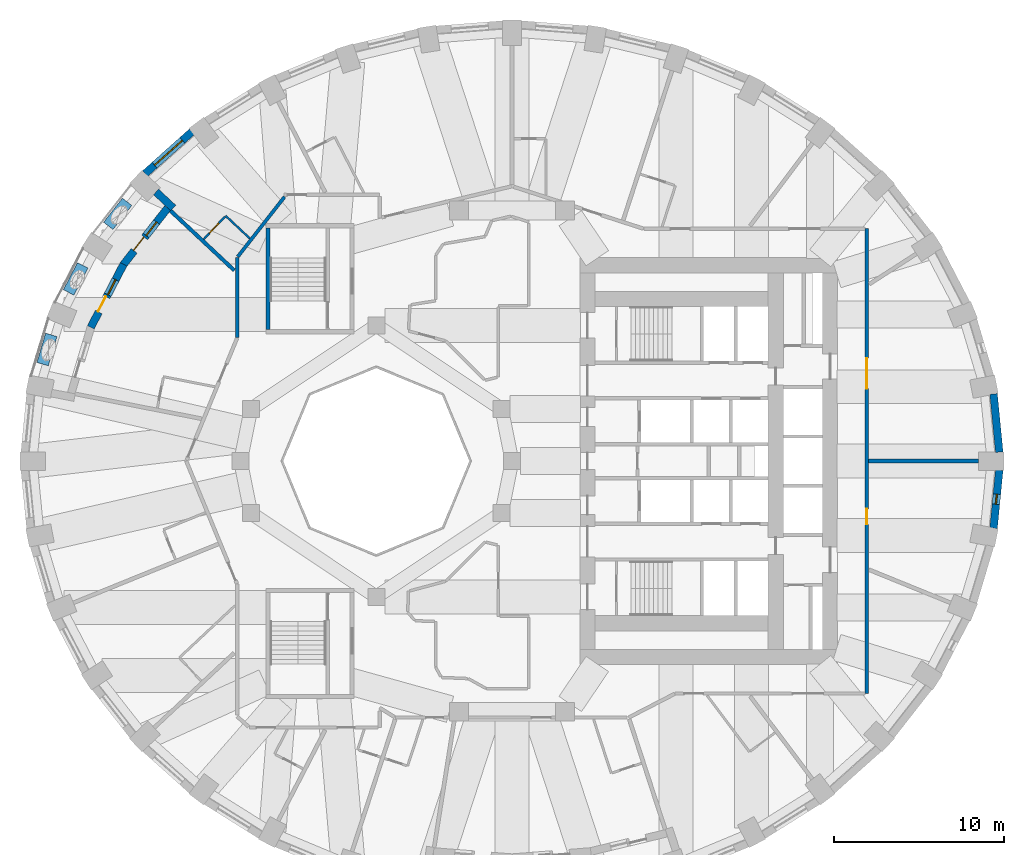
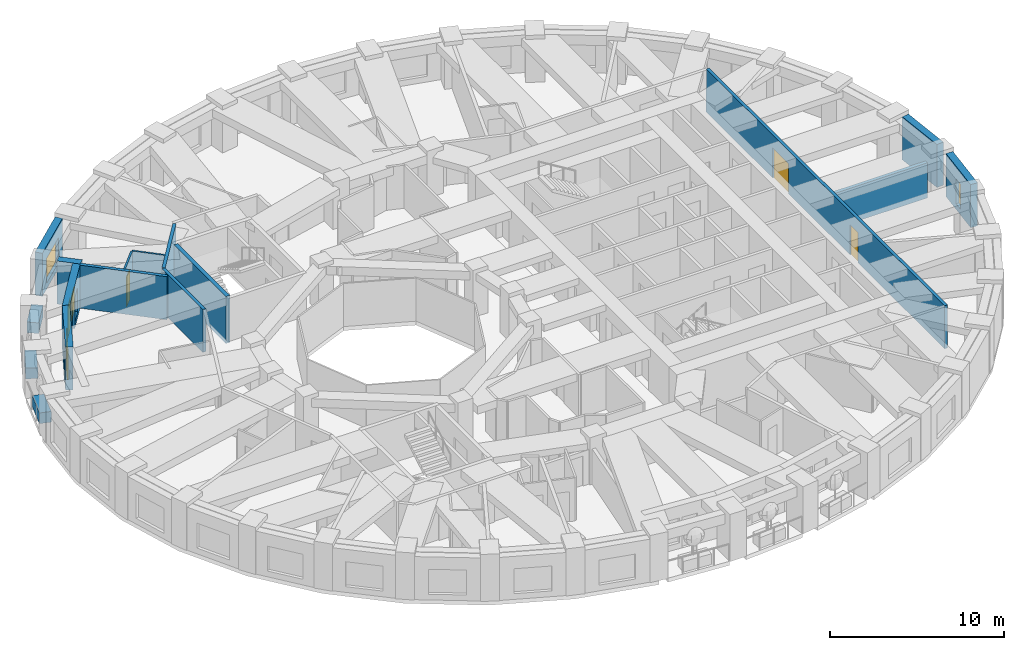
# One storey, part 7 of 13: 17 walls, 5 doors, 4 windows, 9 openings.
"""IFC4 building model written with IfcOpenShell, lengths in metres."""

from ifc_helpers import new_model, si_unit, direction, frame, frame_2d, origin, place, context, subcontext, project, spatial, rectangle, extrude, material, layer, layer_set, constituent, constituent_set, type_object, element, fill, save


model = new_model("IFC4")

# Units and contexts
model_context = context("Model", 3, precision=1e-05, world=origin(), true_north=direction((0.0, 1.0)))
body_context = subcontext(model_context, "Body", "Model", "MODEL_VIEW")
ifc_project = project(units=[si_unit("LENGTHUNIT", "METRE"), si_unit("AREAUNIT", "SQUARE_METRE"), si_unit("VOLUMEUNIT", "CUBIC_METRE"), si_unit("PLANEANGLEUNIT", "RADIAN"), si_unit("MASSUNIT", "GRAM", prefix="KILO")], contexts=[model_context])

# Site, building, storey
site_placement = place(None, origin())
site = spatial("IfcSite", under=ifc_project, at=site_placement, CompositionType="ELEMENT")
building_placement = place(site_placement, origin())
building = spatial("IfcBuilding", under=site, at=building_placement, Name="Taillehof Tower", CompositionType="ELEMENT")
storey_placement = place(building_placement, frame((0.0, 0.0, 77.800048828125)))
storey = spatial("IfcBuildingStorey", under=building, at=storey_placement, Name="L21", CompositionType="ELEMENT", Elevation=77.800048828125)

# Wall
ifc_material_1 = material(Name="Brick masonry", Category="masonry")
ifc_layer_1 = layer(ifc_material_1, 0.449951171875)
ifc_layer_set_1 = layer_set([ifc_layer_1], Name="Brick infill wall 450")
wall_type_1 = type_object("IfcWallType", Name="Brick infill wall 450", PredefinedType="SOLIDWALL", material=ifc_layer_set_1)
wall_1_placement = place(storey_placement, frame((28.721923828125, 0.530029296875, 0.0), z_axis=(0.0, 0.0, 1.0), x_axis=(-0.097389581596, 0.995246336038, 0.0)))
element("IfcWall", 1, at=wall_1_placement, inside=storey, type_object=wall_type_1, Name="Brick wall L21 bay 1", PredefinedType="SOLIDWALL", context=body_context, shape_type="SweptSolid", body=[
    extrude(rectangle(XDim=3.44189453125, YDim=0.449951171875, at=frame_2d((1.720947265625, 0.0))), origin(), (0.0, 0.0, 1.0), 3.02001953125),
])

# Wall, opening, window
wall_2_placement = place(storey_placement, frame((-18.87060546875, 19.406982421875, 0.0), z_axis=(0.0, 0.0, 1.0), x_axis=(-0.745526233716, -0.66647628228, 0.0)))
wall_2 = element("IfcWall", 2, at=wall_2_placement, inside=storey, type_object=wall_type_1, Name="Brick wall L21 bay 14", PredefinedType="SOLIDWALL", context=body_context, shape_type="SweptSolid", body=[
    extrude(rectangle(XDim=3.69677734375, YDim=0.449951171875, at=frame_2d((1.848388671875, 0.0))), origin(), (0.0, 0.0, 1.0), 3.02001953125),
])
opening_1_placement = place(wall_2_placement, frame((0.74853515625, 0.0, 0.39990234375)))
opening_1 = element("IfcOpeningElement", 3, at=opening_1_placement, cuts=wall_2, Name="Opening W1", PredefinedType="OPENING", context=body_context, shape_type="SweptSolid", body=[
    extrude(rectangle(XDim=2.199951171875, YDim=1.75, at=frame_2d((1.10009765625, 0.875))), frame((0.0, 0.23486328125, 0.0), z_axis=(0.0, -1.0, 0.0), x_axis=(1.0, 0.0, 0.0)), (0.0, 0.0, 1.0), 0.469970703125),
])
ifc_material_2 = material(Name="Aluminium window frame with clear double glazing", Category="aluminium")
window_type_1 = type_object("IfcWindowType", Name="Deep-set window 2200x1750", PartitioningType="SINGLE_PANEL", PredefinedType="WINDOW", material=ifc_material_2)
window_1_placement = place(opening_1_placement, origin())
window_1 = element("IfcWindow", 4, at=window_1_placement, inside=storey, type_object=window_type_1, Name="W1", OverallHeight=1.75, OverallWidth=2.199951171875, PartitioningType="SINGLE_PANEL", PredefinedType="WINDOW", context=body_context, shape_type="SweptSolid", body=[
    extrude(rectangle(XDim=2.199951171875, YDim=1.75, at=frame_2d((1.10009765625, 0.875))), frame((0.0, 0.034912109375, 0.0), z_axis=(0.0, -1.0, 0.0), x_axis=(1.0, 0.0, 0.0)), (0.0, 0.0, 1.0), 0.06005859375),
])
fill(opening_1, window_1)

wall_3_placement = place(storey_placement, frame((28.38671875, -3.95556640625, 0.0), z_axis=(0.0, 0.0, 1.0), x_axis=(0.097389581596, 0.995246336038, 0.0)))
wall_3 = element("IfcWall", 5, at=wall_3_placement, inside=storey, type_object=wall_type_1, Name="Brick wall L21 bay 36", PredefinedType="SOLIDWALL", context=body_context, shape_type="SweptSolid", body=[
    extrude(rectangle(XDim=3.44189453125, YDim=0.449951171875, at=frame_2d((1.720947265625, 0.0))), origin(), (0.0, 0.0, 1.0), 3.02001953125),
])
opening_2_placement = place(wall_3_placement, frame((1.4208984375, 0.0, 0.39990234375)))
opening_2 = element("IfcOpeningElement", 6, at=opening_2_placement, cuts=wall_3, Name="Opening W6", PredefinedType="OPENING", context=body_context, shape_type="SweptSolid", body=[
    extrude(rectangle(XDim=0.60009765625, YDim=1.75, at=frame_2d((0.300048828125, 0.875))), frame((0.0, 0.23486328125, 0.0), z_axis=(0.0, -1.0, 0.0), x_axis=(1.0, 0.0, 0.0)), (0.0, 0.0, 1.0), 0.469970703125),
])
ifc_material_3 = material(Name="Aluminium window frame with clear double glazing", Category="aluminium")
window_type_2 = type_object("IfcWindowType", Name="Slot window 600x1750", PartitioningType="SINGLE_PANEL", PredefinedType="WINDOW", material=ifc_material_3)
window_2_placement = place(opening_2_placement, origin())
window_2 = element("IfcWindow", 7, at=window_2_placement, inside=storey, type_object=window_type_2, Name="W6", OverallHeight=1.75, OverallWidth=0.60009765625, PartitioningType="SINGLE_PANEL", PredefinedType="WINDOW", context=body_context, shape_type="SweptSolid", body=[
    extrude(rectangle(XDim=0.60009765625, YDim=1.75, at=frame_2d((0.300048828125, 0.875))), frame((0.0, 0.034912109375, 0.0), z_axis=(0.0, -1.0, 0.0), x_axis=(1.0, 0.0, 0.0)), (0.0, 0.0, 1.0), 0.06005859375),
])
fill(opening_2, window_2)

# Wall
wall_4_placement = place(storey_placement, frame((-20.981689453125, 15.8662109375, 0.0), z_axis=(0.0, 0.0, 1.0), x_axis=(0.730062381614, -0.683380508174, 0.0)))
element("IfcWall", 8, at=wall_4_placement, inside=storey, type_object=wall_type_1, Name="Brick reveal L21 pocket 4", PredefinedType="SOLIDWALL", context=body_context, shape_type="SweptSolid", body=[
    extrude(rectangle(XDim=1.39111328125, YDim=0.449951171875, at=frame_2d((0.695556640625, 0.0))), origin(), (0.0, 0.0, 1.0), 3.02001953125),
])

# Wall, openings, door, window
wall_5_placement = place(storey_placement, frame((-20.298095703125, 14.918212890625, 0.0), z_axis=(0.0, 0.0, 1.0), x_axis=(-0.615578403957, -0.788075649022, 0.0)))
wall_5 = element("IfcWall", 9, at=wall_5_placement, inside=storey, type_object=wall_type_1, Name="Brick wall L21 pocket bay 15", PredefinedType="SOLIDWALL", context=body_context, shape_type="SweptSolid", body=[
    extrude(rectangle(XDim=4.2587890625, YDim=0.449951171875, at=frame_2d((2.12939453125, 0.0))), origin(), (0.0, 0.0, 1.0), 3.02001953125),
])
opening_3_placement = place(wall_5_placement, frame((1.05419921875, 0.0, 0.39990234375)))
opening_3 = element("IfcOpeningElement", 10, at=opening_3_placement, cuts=wall_5, Name="Opening W5", PredefinedType="OPENING", context=body_context, shape_type="SweptSolid", body=[
    extrude(rectangle(XDim=1.0, YDim=1.75, at=frame_2d((0.5, 0.875))), frame((0.0, 0.23486328125, 0.0), z_axis=(0.0, -1.0, 0.0), x_axis=(1.0, 0.0, 0.0)), (0.0, 0.0, 1.0), 0.469970703125),
])
opening_4_placement = place(wall_5_placement, frame((2.204345703125, 0.0, 0.0)))
opening_4 = element("IfcOpeningElement", 11, at=opening_4_placement, cuts=wall_5, Name="Opening D2194", PredefinedType="OPENING", context=body_context, shape_type="SweptSolid", body=[
    extrude(rectangle(XDim=1.0, YDim=2.14990234375, at=frame_2d((0.5, 1.074951171875))), frame((0.0, 0.23486328125, 0.0), z_axis=(0.0, -1.0, 0.0), x_axis=(1.0, 0.0, 0.0)), (0.0, 0.0, 1.0), 0.469970703125),
])
ifc_material_4 = material(Name="Aluminium door frame with clear double glazing", Category="aluminium")
door_type_1 = type_object("IfcDoorType", Name="Balcony door 1000x2150", OperationType="SINGLE_SWING_RIGHT", PredefinedType="DOOR", material=ifc_material_4)
door_1_placement = place(opening_4_placement, frame((1.0, 0.0, 0.0), z_axis=(0.0, 0.0, 1.0), x_axis=(-1.0, 0.0, 0.0)))
door_1 = element("IfcDoor", 12, at=door_1_placement, inside=storey, type_object=door_type_1, Name="Balcony door L21 bay 15", OperationType="SINGLE_SWING_RIGHT", OverallHeight=2.14990234375, OverallWidth=1.0, PredefinedType="DOOR", context=body_context, shape_type="SweptSolid", body=[
    extrude(rectangle(XDim=1.0, YDim=2.14990234375, at=frame_2d((0.5, 1.074951171875))), frame((0.0, 0.0751953125, 0.0), z_axis=(0.0, -1.0, 0.0), x_axis=(1.0, 0.0, 0.0)), (0.0, 0.0, 1.0), 0.050048828125),
])
fill(opening_4, door_1)
ifc_material_5 = material(Name="Aluminium window frame with clear double glazing", Category="aluminium")
window_type_3 = type_object("IfcWindowType", Name="Fixed window 1000x1750", PartitioningType="SINGLE_PANEL", PredefinedType="WINDOW", material=ifc_material_5)
window_3_placement = place(opening_3_placement, origin())
window_3 = element("IfcWindow", 13, at=window_3_placement, inside=storey, type_object=window_type_3, Name="W5", OverallHeight=1.75, OverallWidth=1.0, PartitioningType="SINGLE_PANEL", PredefinedType="WINDOW", context=body_context, shape_type="SweptSolid", body=[
    extrude(rectangle(XDim=1.0, YDim=1.75, at=frame_2d((0.5, 0.875))), frame((0.0, 0.034912109375, 0.0), z_axis=(0.0, -1.0, 0.0), x_axis=(1.0, 0.0, 0.0)), (0.0, 0.0, 1.0), 0.06005859375),
])
fill(opening_3, window_3)

wall_6_placement = place(storey_placement, frame((-22.897216796875, 11.5966796875, 0.0), z_axis=(0.0, 0.0, 1.0), x_axis=(-0.461514453451, -0.887132689769, 0.0)))
wall_6 = element("IfcWall", 14, at=wall_6_placement, inside=storey, type_object=wall_type_1, Name="Brick wall L21 pocket bay 16", PredefinedType="SOLIDWALL", context=body_context, shape_type="SweptSolid", body=[
    extrude(rectangle(XDim=4.182861328125, YDim=0.449951171875, at=frame_2d((2.09130859375, 0.0))), origin(), (0.0, 0.0, 1.0), 3.02001953125),
])
opening_5_placement = place(wall_6_placement, frame((1.016357421875, 0.0, 0.39990234375)))
opening_5 = element("IfcOpeningElement", 15, at=opening_5_placement, cuts=wall_6, Name="Opening W5", PredefinedType="OPENING", context=body_context, shape_type="SweptSolid", body=[
    extrude(rectangle(XDim=1.0, YDim=1.75, at=frame_2d((0.5, 0.875))), frame((0.0, 0.23486328125, 0.0), z_axis=(0.0, -1.0, 0.0), x_axis=(1.0, 0.0, 0.0)), (0.0, 0.0, 1.0), 0.469970703125),
])
opening_6_placement = place(wall_6_placement, frame((2.16650390625, 0.0, 0.0)))
opening_6 = element("IfcOpeningElement", 16, at=opening_6_placement, cuts=wall_6, Name="Opening D2195", PredefinedType="OPENING", context=body_context, shape_type="SweptSolid", body=[
    extrude(rectangle(XDim=1.0, YDim=2.14990234375, at=frame_2d((0.5, 1.074951171875))), frame((0.0, 0.23486328125, 0.0), z_axis=(0.0, -1.0, 0.0), x_axis=(1.0, 0.0, 0.0)), (0.0, 0.0, 1.0), 0.469970703125),
])
door_2_placement = place(opening_6_placement, frame((1.0, 0.0, 0.0), z_axis=(0.0, 0.0, 1.0), x_axis=(-1.0, 0.0, 0.0)))
door_2 = element("IfcDoor", 17, at=door_2_placement, inside=storey, type_object=door_type_1, Name="Balcony door L21 bay 16", OperationType="SINGLE_SWING_LEFT", OverallHeight=2.14990234375, OverallWidth=1.0, PredefinedType="DOOR", context=body_context, shape_type="SweptSolid", body=[
    extrude(rectangle(XDim=1.0, YDim=2.14990234375, at=frame_2d((0.5, 1.074951171875))), frame((0.0, 0.0751953125, 0.0), z_axis=(0.0, -1.0, 0.0), x_axis=(1.0, 0.0, 0.0)), (0.0, 0.0, 1.0), 0.050048828125),
])
fill(opening_6, door_2)
window_4_placement = place(opening_5_placement, origin())
window_4 = element("IfcWindow", 18, at=window_4_placement, inside=storey, type_object=window_type_3, Name="W5", OverallHeight=1.75, OverallWidth=1.0, PartitioningType="SINGLE_PANEL", PredefinedType="WINDOW", context=body_context, shape_type="SweptSolid", body=[
    extrude(rectangle(XDim=1.0, YDim=1.75, at=frame_2d((0.5, 0.875))), frame((0.0, 0.034912109375, 0.0), z_axis=(0.0, -1.0, 0.0), x_axis=(1.0, 0.0, 0.0)), (0.0, 0.0, 1.0), 0.06005859375),
])
fill(opening_5, window_4)

# Wall, openings, doors
ifc_material_6 = material(Name="Gypsum board on steel studs, two layers each side", Category="steel")
ifc_layer_2 = layer(ifc_material_6, 0.199951171875)
ifc_layer_set_2 = layer_set([ifc_layer_2], Name="Compartment wall corridor 200")
wall_type_2 = type_object("IfcWallType", Name="Compartment wall corridor 200", PredefinedType="PARTITIONING", material=ifc_layer_set_2)
wall_7_placement = place(storey_placement, frame((20.89990234375, 13.699951171875, 0.0), z_axis=(0.0, 0.0, 1.0), x_axis=(0.0, -1.0, 0.0)))
wall_7 = element("IfcWall", 19, at=wall_7_placement, inside=storey, type_object=wall_type_2, Name="Compartment wall", PredefinedType="PARTITIONING", context=body_context, shape_type="SweptSolid", body=[
    extrude(rectangle(XDim=27.39990234375, YDim=0.199951171875, at=frame_2d((13.699951171875, 0.0))), origin(), (0.0, 0.0, 1.0), 3.02001953125),
])
opening_7_placement = place(wall_7_placement, frame((16.522705078125, 0.0, 0.0)))
opening_7 = element("IfcOpeningElement", 20, at=opening_7_placement, cuts=wall_7, Name="Opening D2165", PredefinedType="OPENING", context=body_context, shape_type="SweptSolid", body=[
    extrude(rectangle(XDim=0.89990234375, YDim=2.10009765625, at=frame_2d((0.449951171875, 1.050048828125))), frame((0.0, 0.10986328125, 0.0), z_axis=(0.0, -1.0, 0.0), x_axis=(1.0, 0.0, 0.0)), (0.0, 0.0, 1.0), 0.219970703125),
])
opening_8_placement = place(wall_7_placement, frame((7.634521484375, 0.0, 0.0)))
opening_8 = element("IfcOpeningElement", 21, at=opening_8_placement, cuts=wall_7, Name="Opening D2166", PredefinedType="OPENING", context=body_context, shape_type="SweptSolid", body=[
    extrude(rectangle(XDim=1.800048828125, YDim=2.10009765625, at=frame_2d((0.89990234375, 1.050048828125))), frame((0.0, 0.10986328125, 0.0), z_axis=(0.0, -1.0, 0.0), x_axis=(1.0, 0.0, 0.0)), (0.0, 0.0, 1.0), 0.219970703125),
])
ifc_material_7 = material(Name="Timber door leaf in steel frame", Category="steel")
door_type_2 = type_object("IfcDoorType", Name="Lounge and meeting room double door EI 30 1800 x 2100", OperationType="SINGLE_SWING_LEFT", PredefinedType="DOOR", material=ifc_material_7)
door_3_placement = place(opening_8_placement, origin())
door_3 = element("IfcDoor", 22, at=door_3_placement, inside=storey, type_object=door_type_2, Name="D2166", OperationType="DOUBLE_DOOR_SINGLE_SWING", OverallHeight=2.10009765625, OverallWidth=1.800048828125, PredefinedType="DOOR", context=body_context, shape_type="SweptSolid", body=[
    extrude(rectangle(XDim=1.800048828125, YDim=2.10009765625, at=frame_2d((0.89990234375, 1.050048828125))), frame((0.0, 0.02490234375, 0.0), z_axis=(0.0, -1.0, 0.0), x_axis=(1.0, 0.0, 0.0)), (0.0, 0.0, 1.0), 0.050048828125),
])
fill(opening_8, door_3)
ifc_material_8 = material(Name="Timber door leaf in steel frame", Category="steel")
door_type_3 = type_object("IfcDoorType", Name="Service room door EI 30 900 x 2100", OperationType="SINGLE_SWING_LEFT", PredefinedType="DOOR", material=ifc_material_8)
door_4_placement = place(opening_7_placement, origin())
door_4 = element("IfcDoor", 23, at=door_4_placement, inside=storey, type_object=door_type_3, Name="D2165", OperationType="SINGLE_SWING_RIGHT", OverallHeight=2.10009765625, OverallWidth=0.89990234375, PredefinedType="DOOR", context=body_context, shape_type="SweptSolid", body=[
    extrude(rectangle(XDim=0.89990234375, YDim=2.10009765625, at=frame_2d((0.449951171875, 1.050048828125))), frame((0.0, 0.02490234375, 0.0), z_axis=(0.0, -1.0, 0.0), x_axis=(1.0, 0.0, 0.0)), (0.0, 0.0, 1.0), 0.050048828125),
])
fill(opening_7, door_4)

# Walls
wall_8_placement = place(storey_placement, frame((-16.199951171875, 7.29833984375, 0.0), z_axis=(0.0, 0.0, 1.0), x_axis=(0.0, 1.0, 0.0)))
element("IfcWall", 24, at=wall_8_placement, inside=storey, type_object=wall_type_2, Name="Compartment wall", PredefinedType="PARTITIONING", context=body_context, shape_type="SweptSolid", body=[
    extrude(rectangle(XDim=4.703125, YDim=0.199951171875, at=frame_2d((2.3515625, 0.0))), origin(), (0.0, 0.0, 1.0), 3.02001953125),
])
wall_9_placement = place(storey_placement, frame((-16.163330078125, 12.049072265625, 0.0), z_axis=(0.0, 0.0, 1.0), x_axis=(0.6157435057, 0.787946657578, 0.0)))
element("IfcWall", 25, at=wall_9_placement, inside=storey, type_object=wall_type_2, Name="Compartment wall", PredefinedType="PARTITIONING", context=body_context, shape_type="SweptSolid", body=[
    extrude(rectangle(XDim=4.477294921875, YDim=0.199951171875, at=frame_2d((2.23876953125, 0.0))), origin(), (0.0, 0.0, 1.0), 3.02001953125),
])
ifc_material_9 = material(Name="Gypsum board on double steel studs with mineral wool", Category="steel")
ifc_layer_3 = layer(ifc_material_9, 0.219970703125)
ifc_layer_set_3 = layer_set([ifc_layer_3], Name="Compartment wall guest room 220")
wall_type_3 = type_object("IfcWallType", Name="Compartment wall guest room 220", PredefinedType="PARTITIONING", material=ifc_layer_set_3)
wall_10_placement = place(storey_placement, frame((27.5, 0.0, 0.0), z_axis=(0.0, 0.0, 1.0), x_axis=(-1.0, 0.0, 0.0)))
element("IfcWall", 26, at=wall_10_placement, inside=storey, type_object=wall_type_3, Name="Compartment wall", PredefinedType="PARTITIONING", context=body_context, shape_type="SweptSolid", body=[
    extrude(rectangle(XDim=6.5, YDim=0.219970703125, at=frame_2d((3.25, 0.0))), origin(), (0.0, 0.0, 1.0), 2.469970703125),
])
wall_11_placement = place(storey_placement, frame((-20.133056640625, 14.763671875, 0.0), z_axis=(0.0, 0.0, 1.0), x_axis=(0.730092856427, -0.683347950165, 0.0)))
element("IfcWall", 27, at=wall_11_placement, inside=storey, type_object=wall_type_3, Name="Compartment wall", PredefinedType="PARTITIONING", context=body_context, shape_type="SweptSolid", body=[
    extrude(rectangle(XDim=5.149658203125, YDim=0.219970703125, at=frame_2d((2.57470703125, 0.0))), origin(), (0.0, 0.0, 1.0), 3.02001953125),
])
ifc_material_10 = material(Name="Gypsum board on steel studs, moisture resistant", Category="steel")
ifc_layer_4 = layer(ifc_material_10, 0.1201171875)
ifc_layer_set_4 = layer_set([ifc_layer_4], Name="En-suite wall 120")
wall_type_4 = type_object("IfcWallType", Name="En-suite wall 120", PredefinedType="PARTITIONING", material=ifc_layer_set_4)
wall_12_placement = place(storey_placement, frame((-15.451904296875, 13.12158203125, 0.0), z_axis=(0.0, 0.0, 1.0), x_axis=(-0.730035995084, 0.683408696083, 0.0)))
element("IfcWall", 28, at=wall_12_placement, inside=storey, type_object=wall_type_4, Name="En-suite wall", PredefinedType="PARTITIONING", context=body_context, shape_type="SweptSolid", body=[
    extrude(rectangle(XDim=1.953125, YDim=0.1201171875, at=frame_2d((0.9765625, 0.0))), origin(), (0.0, 0.0, 1.0), 3.02001953125),
])

# Wall, opening, door
wall_13_placement = place(storey_placement, frame((-16.918701171875, 14.41259765625, 0.0), z_axis=(0.0, 0.0, 1.0), x_axis=(-0.683306289544, -0.730131847456, 0.0)))
wall_13 = element("IfcWall", 29, at=wall_13_placement, inside=storey, type_object=wall_type_4, Name="En-suite wall", PredefinedType="PARTITIONING", context=body_context, shape_type="SweptSolid", body=[
    extrude(rectangle(XDim=1.830078125, YDim=0.1201171875, at=frame_2d((0.9150390625, 0.0))), origin(), (0.0, 0.0, 1.0), 3.02001953125),
])
opening_9_placement = place(wall_13_placement, frame((0.5400390625, 0.0, 0.0)))
opening_9 = element("IfcOpeningElement", 30, at=opening_9_placement, cuts=wall_13, Name="Opening D2147", PredefinedType="OPENING", context=body_context, shape_type="SweptSolid", body=[
    extrude(rectangle(XDim=0.800048828125, YDim=2.10009765625, at=frame_2d((0.39990234375, 1.050048828125))), frame((0.0, 0.070068359375, 0.0), z_axis=(0.0, -1.0, 0.0), x_axis=(1.0, 0.0, 0.0)), (0.0, 0.0, 1.0), 0.14013671875),
])
ifc_material_11 = material(Name="Timber door leaf in steel frame", Category="steel")
door_type_4 = type_object("IfcDoorType", Name="En-suite door 800 x 2100", OperationType="SINGLE_SWING_LEFT", PredefinedType="DOOR", material=ifc_material_11)
door_5_placement = place(opening_9_placement, origin())
door_5 = element("IfcDoor", 31, at=door_5_placement, inside=storey, type_object=door_type_4, Name="D2147", OperationType="SINGLE_SWING_LEFT", OverallHeight=2.10009765625, OverallWidth=0.800048828125, PredefinedType="DOOR", context=body_context, shape_type="SweptSolid", body=[
    extrude(rectangle(XDim=0.800048828125, YDim=2.10009765625, at=frame_2d((0.39990234375, 1.050048828125))), frame((0.0, 0.02490234375, 0.0), z_axis=(0.0, -1.0, 0.0), x_axis=(1.0, 0.0, 0.0)), (0.0, 0.0, 1.0), 0.050048828125),
])
fill(opening_9, door_5)

# Walls
ifc_material_12 = material(Name="Concrete C30/37 precast", Category="concrete")
ifc_constituent_1 = constituent(ifc_material_12, Name="Structure", Category="concrete")
ifc_material_13 = material(Name="Insulated lining")
ifc_constituent_2 = constituent(ifc_material_13, Name="Lining")
ifc_constituent_set = constituent_set(constituents=[ifc_constituent_1, ifc_constituent_2], Name="Planter trough 700x750")
wall_type_5 = type_object("IfcWallType", Name="Planter trough 700x750", PredefinedType="USERDEFINED", material=ifc_constituent_set)
wall_14_placement = place(storey_placement, frame((-22.685546875, 15.28125, 0.0), z_axis=(0.0, 0.0, 1.0), x_axis=(-0.616622746332, -0.787258781282, 0.0)))
element("IfcWall", 32, at=wall_14_placement, inside=storey, type_object=wall_type_5, Name="Planter L21 bay 15", ObjectType="PLANTER", PredefinedType="USERDEFINED", context=body_context, shape_type="SweptSolid", body=[
    extrude(rectangle(XDim=1.7998046875, YDim=0.699951171875, at=frame_2d((0.89990234375, 0.0))), origin(), (0.0, 0.0, 1.0), 0.75),
])
wall_15_placement = place(storey_placement, frame((-25.300048828125, 11.536865234375, 0.0), z_axis=(0.0, 0.0, 1.0), x_axis=(-0.462501112253, -0.886618701114, 0.0)))
element("IfcWall", 33, at=wall_15_placement, inside=storey, type_object=wall_type_5, Name="Planter L21 bay 16", ObjectType="PLANTER", PredefinedType="USERDEFINED", context=body_context, shape_type="SweptSolid", body=[
    extrude(rectangle(XDim=1.800048828125, YDim=0.699951171875, at=frame_2d((0.89990234375, 0.0))), origin(), (0.0, 0.0, 1.0), 0.75),
])
wall_16_placement = place(storey_placement, frame((-27.152099609375, 7.439453125, 0.0), z_axis=(0.0, 0.0, 1.0), x_axis=(-0.287024312863, -0.957923297465, 0.0)))
element("IfcWall", 34, at=wall_16_placement, inside=storey, type_object=wall_type_5, Name="Planter L21 bay 17", ObjectType="PLANTER", PredefinedType="USERDEFINED", context=body_context, shape_type="SweptSolid", body=[
    extrude(rectangle(XDim=1.7998046875, YDim=0.699951171875, at=frame_2d((0.89990234375, 0.0))), origin(), (0.0, 0.0, 1.0), 0.75),
])
ifc_material_14 = material(Name="Concrete C50/60", Category="concrete")
ifc_layer_5 = layer(ifc_material_14, 0.25)
ifc_layer_set_5 = layer_set([ifc_layer_5], Name="Stair wall C50/60 250")
wall_type_6 = type_object("IfcWallType", Name="Stair wall C50/60 250", PredefinedType="SHEAR", material=ifc_layer_set_5)
wall_17_placement = place(storey_placement, frame((-14.375, 7.75, -0.280029296875), z_axis=(0.0, 0.0, 1.0), x_axis=(0.0, 1.0, 0.0)))
element("IfcWall", 35, at=wall_17_placement, inside=storey, type_object=wall_type_6, Name="Stair wall SC", PredefinedType="SHEAR", context=body_context, shape_type="SweptSolid", body=[
    extrude(rectangle(XDim=6.0, YDim=0.25, at=frame_2d((3.0, 0.0))), origin(), (0.0, 0.0, 1.0), 3.300048828125),
])

save(model, "model.ifc")
